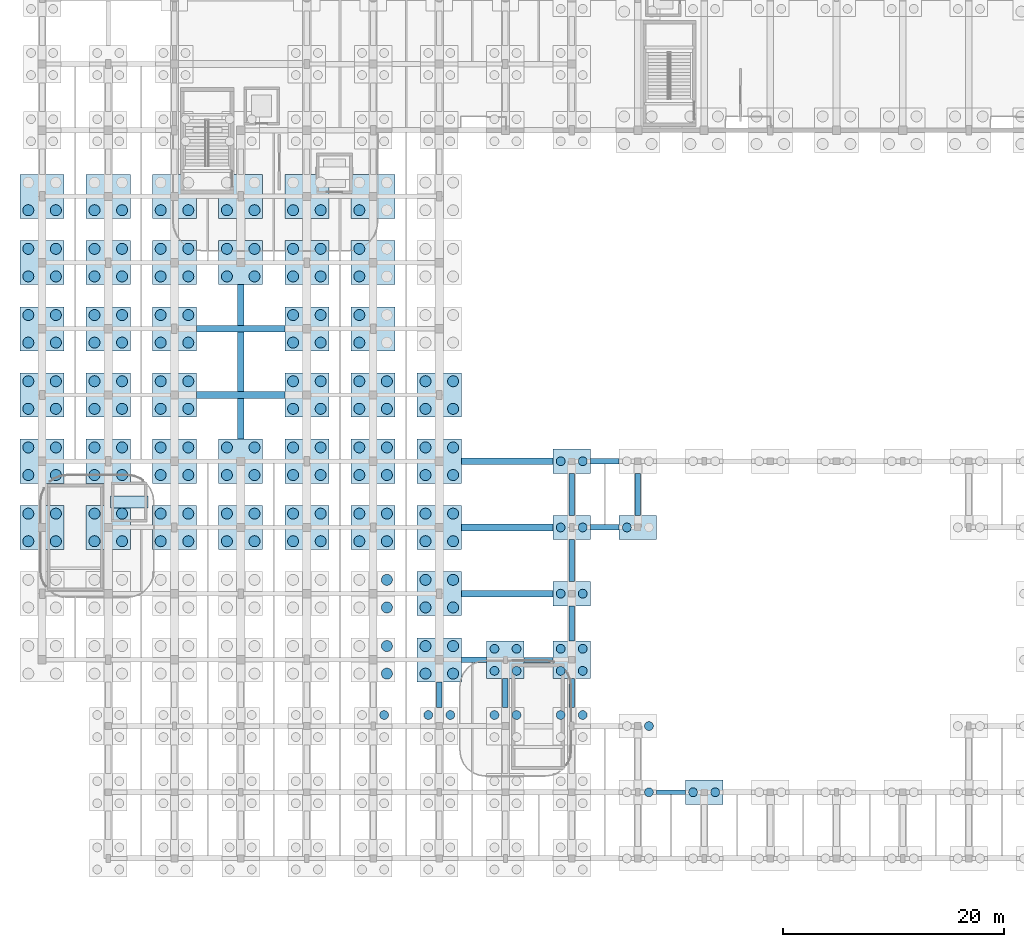
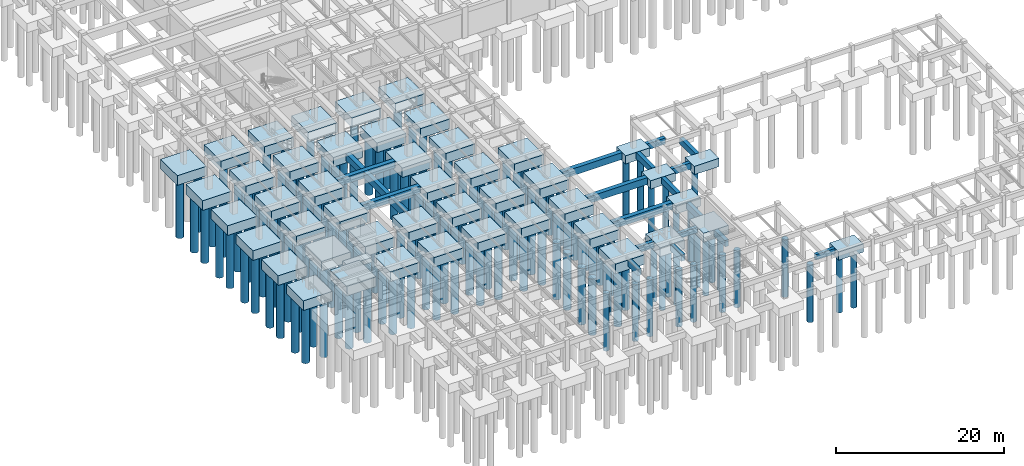
# One storey, part 2 of 32: 169 piles, 65 footings.
"""IFC4 building model written with IfcOpenShell, lengths in metres."""

import ifcopenshell
import ifcopenshell.guid

model = None  # the IFC model being written
_history = None  # IfcOwnerHistory: only IFC2X3 demands one
_inside = {}  # id of a spatial element -> (the spatial element, [elements in it])
_under = {}  # id of a project, library or spatial element -> (it, [spatial elements below it])
_declared = {}  # id of a project -> (the project, [libraries it declares])
_typed = {}  # id of a type object -> (the type object, [elements of that type])
_made_of = {}  # id of a material, layer set ... -> (it, [elements and type objects made of it])


def new_model(schema):
    """Start an empty IFC model of exactly this schema.

    Asked for "IFC4X3", IfcOpenShell would pick the latest addendum, in which some entities
    have other attributes; the version numbers below select the first issue.
    IFC2X3 requires an IfcOwnerHistory on every rooted entity: one is made here for all.
    """
    global model, _history
    if schema == "IFC4X3":
        model = ifcopenshell.file(schema_version=(4, 3, 0, 0))
    else:
        model = ifcopenshell.file(schema=schema)
    _inside.clear()
    _under.clear()
    _declared.clear()
    _typed.clear()
    _made_of.clear()
    _history = None
    if model.schema == "IFC2X3":
        org = make("IfcOrganization", Name="unknown")
        user = make(
            "IfcPersonAndOrganization",
            ThePerson=make("IfcPerson", FamilyName="unknown"),
            TheOrganization=org,
        )
        app = make(
            "IfcApplication",
            ApplicationDeveloper=org,
            Version="unknown",
            ApplicationFullName="unknown",
            ApplicationIdentifier="unknown",
        )
        _history = make(
            "IfcOwnerHistory",
            OwningUser=user,
            OwningApplication=app,
            ChangeAction="ADDED",
            CreationDate=0,
        )
    return model


def make(cls, **values):
    """One entity of the class cls with the attributes given. An attribute that is None is left unset."""
    return model.create_entity(
        cls, **{name: value for name, value in values.items() if value is not None}
    )


def rooted(cls, **values):
    """An entity with a GlobalId (a new one), such as an element, a storey or a relation."""
    return make(cls, GlobalId=ifcopenshell.guid.new(), OwnerHistory=_history, **values)


def si_unit(unit_type, name, prefix=None):
    """IfcSIUnit, for example si_unit("LENGTHUNIT", "METRE", prefix="MILLI")."""
    return make("IfcSIUnit", UnitType=unit_type, Prefix=prefix, Name=name)


def assignment(units):
    """IfcUnitAssignment: the units of a project."""
    return None if units is None else make("IfcUnitAssignment", Units=units)


def point(xyz):
    """IfcCartesianPoint."""
    return None if xyz is None else make("IfcCartesianPoint", Coordinates=xyz)


def direction(xyz):
    """IfcDirection."""
    return None if xyz is None else make("IfcDirection", DirectionRatios=xyz)


def frame(location, z_axis=None, x_axis=None):
    """IfcAxis2Placement3D, a coordinate frame: its origin and axes. An axis left out is left unset."""
    return make(
        "IfcAxis2Placement3D",
        Location=point(location),
        Axis=direction(z_axis),
        RefDirection=direction(x_axis),
    )


def frame_2d(location, x_axis=None):
    """IfcAxis2Placement2D, a coordinate frame in the plane: its origin and x axis."""
    return make(
        "IfcAxis2Placement2D", Location=point(location), RefDirection=direction(x_axis)
    )


def origin():
    """The frame at (0, 0, 0) with its axes left unset."""
    return frame((0.0, 0.0, 0.0))


def origin_2d():
    """The frame at (0, 0) in the plane with its x axis left unset."""
    return frame_2d((0.0, 0.0))


def place(relative_to, where):
    """IfcLocalPlacement: puts the frame where relative to a parent placement (None: the world)."""
    return make(
        "IfcLocalPlacement", PlacementRelTo=relative_to, RelativePlacement=where
    )


def context(
    kind, dimensions, precision=None, world=None, true_north=None, identifier=None
):
    """IfcGeometricRepresentationContext, for example the 3D "Model" context."""
    return make(
        "IfcGeometricRepresentationContext",
        ContextIdentifier=identifier,
        ContextType=kind,
        CoordinateSpaceDimension=dimensions,
        Precision=precision,
        WorldCoordinateSystem=world,
        TrueNorth=true_north,
    )


def subcontext(parent, identifier, kind, view, scale=None):
    """IfcGeometricRepresentationSubContext, for example "Body" below "Model"."""
    return make(
        "IfcGeometricRepresentationSubContext",
        ContextIdentifier=identifier,
        ContextType=kind,
        ParentContext=parent,
        TargetScale=scale,
        TargetView=view,
    )


def project(units=None, contexts=None):
    """IfcProject with its units and contexts."""
    return rooted(
        "IfcProject",
        Name="project",
        RepresentationContexts=contexts,
        UnitsInContext=assignment(units),
    )


def spatial(cls, under=None, at=None, **own):
    """A site, building, storey or space (cls), placed at a placement, below another one or the project."""
    s = rooted(cls, ObjectPlacement=at, **own)
    if under is not None:
        _under.setdefault(under.id(), (under, []))[1].append(s)
    return s


def profile(cls, at=None, kind="AREA", **sizes):
    """A parametric profile (cls). Its sizes go by their IFC names, for example OverallWidth=200.0."""
    return make(cls, ProfileType=kind, Position=at, **sizes)


def rectangle(**sizes):
    """IfcRectangleProfileDef."""
    return profile("IfcRectangleProfileDef", **sizes)


def circle(**sizes):
    """IfcCircleProfileDef."""
    return profile("IfcCircleProfileDef", **sizes)


def extrude(swept, where, along, depth):
    """IfcExtrudedAreaSolid: the profile swept, set in the frame where, extruded along a direction by depth."""
    return make(
        "IfcExtrudedAreaSolid",
        SweptArea=swept,
        Position=where,
        ExtrudedDirection=direction(along),
        Depth=depth,
    )


def shape(context_of_items, identifier, shape_type, items):
    """IfcShapeRepresentation: the items that make up one representation, for example the "Body"."""
    return make(
        "IfcShapeRepresentation",
        ContextOfItems=context_of_items,
        RepresentationIdentifier=identifier,
        RepresentationType=shape_type,
        Items=items,
    )


def material(Name=None, Category=None):
    """IfcMaterial."""
    return make("IfcMaterial", Name=Name, Category=Category)


def material_profile(
    of_material, cross_section, Name=None, Category=None, Priority=None
):
    """IfcMaterialProfile: a cross section and its material."""
    return make(
        "IfcMaterialProfile",
        Name=Name,
        Material=of_material,
        Profile=cross_section,
        Priority=Priority,
        Category=Category,
    )


def profile_set(profiles, Name=None, composite=None):
    """IfcMaterialProfileSet."""
    return make(
        "IfcMaterialProfileSet",
        Name=Name,
        MaterialProfiles=profiles,
        CompositeProfile=composite,
    )


def made_of(thing, what):
    """Note that an element or type object is made of a material, layer set ...; save() writes the relation."""
    if what is not None:
        _made_of.setdefault(what.id(), (what, []))[1].append(thing)
    return thing


def type_object(cls, material=None, **own):
    """A type object (cls), such as IfcWallType, which elements share."""
    return made_of(rooted(cls, **own), material)


def element(
    cls,
    number,
    at=None,
    inside=None,
    cuts=None,
    type_object=None,
    material=None,
    context=None,
    identifier="Body",
    shape_type=None,
    held_by="IfcProductDefinitionShape",
    body=None,
    shapes=None,
    **own,
):
    """One element of the class cls, such as IfcWall. Its Tag is "e" and its number.

    at: its placement. inside: the storey or other place that contains it. cuts: it is an
    opening in that element (IfcRelVoidsElement). A single representation is given by context,
    identifier, shape_type and body (its items); several are given by shapes. held_by: the class
    of the entity that holds the representations. save() writes the other relations.
    """
    e = rooted(cls, Tag="e%d" % number, ObjectPlacement=at, **own)
    if body is not None:
        shapes = [shape(context, identifier, shape_type, body)]
    if shapes is not None:
        e.Representation = make(held_by, Representations=shapes)
    if inside is not None:
        _inside.setdefault(inside.id(), (inside, []))[1].append(e)
    if cuts is not None:
        rooted(
            "IfcRelVoidsElement", RelatingBuildingElement=cuts, RelatedOpeningElement=e
        )
    if type_object is not None:
        _typed.setdefault(type_object.id(), (type_object, []))[1].append(e)
    return made_of(e, material)


def aggregate(whole, parts):
    """IfcRelAggregates: a whole, such as a stair, and the parts it consists of."""
    return rooted("IfcRelAggregates", RelatingObject=whole, RelatedObjects=parts)


def save(model, path):
    """Write the relations noted so far, then the file.

    IfcRelAggregates (storeys below a building ...), IfcRelContainedInSpatialStructure (elements
    in a storey), IfcRelDefinesByType, IfcRelAssociatesMaterial and IfcRelDeclares: one each for
    every whole, place, type object, material and project.
    """
    for whole, parts in _under.values():
        aggregate(whole, parts)
    for where, things in _inside.values():
        rooted(
            "IfcRelContainedInSpatialStructure",
            RelatedElements=things,
            RelatingStructure=where,
        )
    for kind, things in _typed.values():
        rooted("IfcRelDefinesByType", RelatedObjects=things, RelatingType=kind)
    for what, things in _made_of.values():
        rooted("IfcRelAssociatesMaterial", RelatedObjects=things, RelatingMaterial=what)
    for by, libraries in _declared.values():
        rooted("IfcRelDeclares", RelatingContext=by, RelatedDefinitions=libraries)
    model.write(path)


model = new_model("IFC4")

# Units and contexts
model_context = context("Model", 3, precision=1e-05, world=origin(), true_north=direction((0.0, 1.0)))
body_context = subcontext(model_context, "Body", "Model", "MODEL_VIEW")
ifc_project = project(units=[si_unit("LENGTHUNIT", "METRE"), si_unit("AREAUNIT", "SQUARE_METRE"), si_unit("VOLUMEUNIT", "CUBIC_METRE"), si_unit("PLANEANGLEUNIT", "RADIAN"), si_unit("MASSUNIT", "GRAM", prefix="KILO")], contexts=[model_context])

# Site, building, storey
site_placement = place(None, origin())
site = spatial("IfcSite", under=ifc_project, at=site_placement, CompositionType="ELEMENT")
building_placement = place(site_placement, origin())
building = spatial("IfcBuilding", under=site, at=building_placement, Name="Varnakota Square Police Headquarters", CompositionType="ELEMENT")
storey_placement = place(building_placement, frame((0.0, 0.0, -4.5)))
storey = spatial("IfcBuildingStorey", under=building, at=storey_placement, Name="B1", CompositionType="ELEMENT", Elevation=-4.5)

# Footings
ifc_material_1 = material(Name="Concrete M40", Category="concrete")
ifc_material_profile_1 = material_profile(ifc_material_1, rectangle(XDim=0.5, YDim=0.89990234375, at=origin_2d()), Name="GB 500x900")
ifc_profile_set_1 = profile_set([ifc_material_profile_1], Name="Concrete M40")
footing_type_1 = type_object("IfcFootingType", Name="FT-GB1", PredefinedType="FOOTING_BEAM", material=ifc_profile_set_1)
footing_1_placement = place(storey_placement, frame((44.0, 21.0, -0.449951171875), z_axis=(1.0, 0.0, 0.0), x_axis=(0.0, 1.0, 0.0)))
element("IfcFooting", 1, at=footing_1_placement, inside=storey, type_object=footing_type_1, Name="Ground tie beam GB-0041", PredefinedType="FOOTING_BEAM", context=body_context, shape_type="SweptSolid", body=[
    extrude(rectangle(XDim=0.5, YDim=0.89990234375, at=origin_2d()), origin(), (0.0, 0.0, 1.0), 2.300048828125),
])
for number, where, z_axis, x_axis, name in (
    (2, (55.699951171875, 33.0, -0.449951171875), (1.0, 0.0, 0.0), (0.0, 1.0, 0.0), "Ground tie beam GB-0046"),
    (3, (55.699951171875, 39.0, -0.449951171875), (1.0, 0.0, 0.0), (0.0, 1.0, 0.0), "Ground tie beam GB-0049"),
):
    element("IfcFooting", number, at=place(storey_placement, frame(where, z_axis=z_axis, x_axis=x_axis)), inside=storey, type_object=footing_type_1, Name=name, PredefinedType="FOOTING_BEAM", context=body_context, shape_type="SweptSolid", body=[
        extrude(rectangle(XDim=0.5, YDim=0.89990234375, at=origin_2d()), origin(), (0.0, 0.0, 1.0), 2.60009765625),
    ])
footing_2_placement = place(storey_placement, frame((42.0, 16.699951171875, -0.449951171875), z_axis=(0.0, 1.0, 0.0), x_axis=(-1.0, 0.0, 0.0)))
element("IfcFooting", 4, at=footing_2_placement, inside=storey, type_object=footing_type_1, Name="Ground tie beam GB-0229", PredefinedType="FOOTING_BEAM", context=body_context, shape_type="SweptSolid", body=[
    extrude(rectangle(XDim=0.5, YDim=0.89990234375, at=origin_2d()), origin(), (0.0, 0.0, 1.0), 2.300048828125),
])
for number, where, z_axis, x_axis, name in (
    (5, (48.0, 16.699951171875, -0.449951171875), (0.0, 1.0, 0.0), (-1.0, 0.0, 0.0), "Ground tie beam GB-0238"),
    (6, (54.0, 16.699951171875, -0.449951171875), (0.0, 1.0, 0.0), (-1.0, 0.0, 0.0), "Ground tie beam GB-0246"),
):
    element("IfcFooting", number, at=place(storey_placement, frame(where, z_axis=z_axis, x_axis=x_axis)), inside=storey, type_object=footing_type_1, Name=name, PredefinedType="FOOTING_BEAM", context=body_context, shape_type="SweptSolid", body=[
        extrude(rectangle(XDim=0.5, YDim=0.89990234375, at=origin_2d()), origin(), (0.0, 0.0, 1.0), 2.60009765625),
    ])
footing_3_placement = place(storey_placement, frame((54.0, 22.699951171875, -0.449951171875), z_axis=(0.0, 1.0, 0.0), x_axis=(-1.0, 0.0, 0.0)))
element("IfcFooting", 7, at=footing_3_placement, inside=storey, type_object=footing_type_1, Name="Ground tie beam GB-0247", PredefinedType="FOOTING_BEAM", context=body_context, shape_type="SweptSolid", body=[
    extrude(rectangle(XDim=0.5, YDim=0.89990234375, at=origin_2d()), origin(), (0.0, 0.0, 1.0), 3.199951171875),
])
for number, where, z_axis, x_axis, name in (
    (8, (54.0, 28.10009765625, -0.449951171875), (0.0, 1.0, 0.0), (-1.0, 0.0, 0.0), "Ground tie beam GB-0248"),
    (9, (54.0, 34.10009765625, -0.449951171875), (0.0, 1.0, 0.0), (-1.0, 0.0, 0.0), "Ground tie beam GB-0249"),
    (10, (60.0, 34.10009765625, -0.449951171875), (0.0, 1.0, 0.0), (-1.0, 0.0, 0.0), "Ground tie beam GB-0257"),
):
    element("IfcFooting", number, at=place(storey_placement, frame(where, z_axis=z_axis, x_axis=x_axis)), inside=storey, type_object=footing_type_1, Name=name, PredefinedType="FOOTING_BEAM", context=body_context, shape_type="SweptSolid", body=[
        extrude(rectangle(XDim=0.5, YDim=0.89990234375, at=origin_2d()), origin(), (0.0, 0.0, 1.0), 3.7998046875),
    ])
ifc_material_profile_2 = material_profile(ifc_material_1, rectangle(XDim=0.60009765625, YDim=1.0, at=origin_2d()), Name="GB 600x1000")
ifc_profile_set_2 = profile_set([ifc_material_profile_2], Name="Concrete M40")
footing_type_2 = type_object("IfcFootingType", Name="FT-GB2", PredefinedType="FOOTING_BEAM", material=ifc_profile_set_2)
for number, where, z_axis, x_axis, name in (
    (11, (44.0, 27.0, -0.5), (1.0, 0.0, 0.0), (0.0, 1.0, 0.0), "Ground tie beam GB-0044"),
    (12, (44.0, 33.0, -0.5), (1.0, 0.0, 0.0), (0.0, 1.0, 0.0), "Ground tie beam GB-0045"),
    (13, (44.0, 39.0, -0.5), (1.0, 0.0, 0.0), (0.0, 1.0, 0.0), "Ground tie beam GB-0048"),
):
    element("IfcFooting", number, at=place(storey_placement, frame(where, z_axis=z_axis, x_axis=x_axis)), inside=storey, type_object=footing_type_2, Name=name, PredefinedType="FOOTING_BEAM", context=body_context, shape_type="SweptSolid", body=[
        extrude(rectangle(XDim=0.60009765625, YDim=1.0, at=origin_2d()), origin(), (0.0, 0.0, 1.0), 8.300048828125),
    ])
for number, where, z_axis, x_axis, name in (
    (14, (20.0, 45.0, -0.5), (1.0, 0.0, 0.0), (0.0, 1.0, 0.0), "Ground tie beam GB-0056"),
    (15, (20.0, 51.0, -0.5), (1.0, 0.0, 0.0), (0.0, 1.0, 0.0), "Ground tie beam GB-0057"),
):
    element("IfcFooting", number, at=place(storey_placement, frame(where, z_axis=z_axis, x_axis=x_axis)), inside=storey, type_object=footing_type_2, Name=name, PredefinedType="FOOTING_BEAM", context=body_context, shape_type="SweptSolid", body=[
        extrude(rectangle(XDim=0.60009765625, YDim=1.0, at=origin_2d()), origin(), (0.0, 0.0, 1.0), 8.0),
    ])
footing_4_placement = place(storey_placement, frame((24.0, 41.0, -0.5), z_axis=(0.0, 1.0, 0.0), x_axis=(-1.0, 0.0, 0.0)))
element("IfcFooting", 16, at=footing_4_placement, inside=storey, type_object=footing_type_2, Name="Ground tie beam GB-0207", PredefinedType="FOOTING_BEAM", context=body_context, shape_type="SweptSolid", body=[
    extrude(rectangle(XDim=0.60009765625, YDim=1.0, at=origin_2d()), origin(), (0.0, 0.0, 1.0), 14.0),
])
ifc_material_profile_3 = material_profile(ifc_material_1, rectangle(XDim=0.449951171875, YDim=0.800048828125, at=origin_2d()), Name="GB 450x800")
ifc_profile_set_3 = profile_set([ifc_material_profile_3], Name="Concrete M40")
footing_type_3 = type_object("IfcFootingType", Name="FT-GB3", PredefinedType="FOOTING_BEAM", material=ifc_profile_set_3)
for number, where, z_axis, x_axis, name in (
    (17, (61.699951171875, 9.0, -0.39990234375), (1.0, 0.0, 0.0), (0.0, 1.0, 0.0), "Ground tie beam GB-0024"),
    (18, (49.699951171875, 21.0, -0.39990234375), (1.0, 0.0, 0.0), (0.0, 1.0, 0.0), "Ground tie beam GB-0042"),
):
    element("IfcFooting", number, at=place(storey_placement, frame(where, z_axis=z_axis, x_axis=x_axis)), inside=storey, type_object=footing_type_3, Name=name, PredefinedType="FOOTING_BEAM", context=body_context, shape_type="SweptSolid", body=[
        extrude(rectangle(XDim=0.449951171875, YDim=0.800048828125, at=origin_2d()), origin(), (0.0, 0.0, 1.0), 2.60009765625),
    ])
footing_type_4 = type_object("IfcFootingType", Name="FT-PC2", PredefinedType="PILE_CAP", material=ifc_material_1)
for number, where, z_axis, x_axis, name in (
    (19, (54.0, 27.0, -1.2001953125), (0.0, 0.0, 1.0), (1.0, 0.0, 0.0), "Pile cap CAP-X0540-Y0270"),
    (20, (54.0, 33.0, -1.2001953125), (0.0, 0.0, 1.0), (1.0, 0.0, 0.0), "Pile cap CAP-X0540-Y0330"),
    (21, (54.0, 39.0, -1.2001953125), (0.0, 0.0, 1.0), (1.0, 0.0, 0.0), "Pile cap CAP-X0540-Y0390"),
    (22, (60.0, 33.0, -1.2001953125), (0.0, 0.0, 1.0), (1.0, 0.0, 0.0), "Pile cap CAP-X0600-Y0330"),
    (23, (66.0, 9.0, -1.2001953125), (0.0, 0.0, 1.0), (1.0, 0.0, 0.0), "Pile cap CAP-X0660-Y0090"),
):
    element("IfcFooting", number, at=place(storey_placement, frame(where, z_axis=z_axis, x_axis=x_axis)), inside=storey, type_object=footing_type_4, Name=name, PredefinedType="PILE_CAP", context=body_context, shape_type="SweptSolid", body=[
        extrude(rectangle(XDim=3.39990234375, YDim=2.199951171875, at=origin_2d()), origin(), (0.0, 0.0, 1.0), 1.199951171875),
    ])
footing_type_5 = type_object("IfcFootingType", Name="FT-PC4", PredefinedType="PILE_CAP", material=ifc_material_1)
for number, where, z_axis, x_axis, name in (
    (24, (48.0, 21.0, -1.2998046875), (0.0, 0.0, 1.0), (1.0, 0.0, 0.0), "Pile cap CAP-X0480-Y0210"),
    (25, (54.0, 21.0, -1.2998046875), (0.0, 0.0, 1.0), (1.0, 0.0, 0.0), "Pile cap CAP-X0540-Y0210"),
):
    element("IfcFooting", number, at=place(storey_placement, frame(where, z_axis=z_axis, x_axis=x_axis)), inside=storey, type_object=footing_type_5, Name=name, PredefinedType="PILE_CAP", context=body_context, shape_type="SweptSolid", body=[
        extrude(rectangle(XDim=3.39990234375, YDim=3.39990234375, at=origin_2d()), origin(), (0.0, 0.0, 1.0), 1.300048828125),
    ])
ifc_material_2 = material(Name="Concrete M50", Category="concrete")
footing_type_6 = type_object("IfcFootingType", Name="FT-PC6", PredefinedType="PILE_CAP", material=ifc_material_2)
for number, where, z_axis, x_axis, name in (
    (26, (6.0, 33.0, -1.39990234375), (0.0, 0.0, 1.0), (1.0, 0.0, 0.0), "Pile cap CAP-X0060-Y0330"),
    (27, (6.0, 39.0, -1.39990234375), (0.0, 0.0, 1.0), (1.0, 0.0, 0.0), "Pile cap CAP-X0060-Y0390"),
    (28, (6.0, 45.0, -1.39990234375), (0.0, 0.0, 1.0), (1.0, 0.0, 0.0), "Pile cap CAP-X0060-Y0450"),
    (29, (6.0, 51.0, -1.39990234375), (0.0, 0.0, 1.0), (1.0, 0.0, 0.0), "Pile cap CAP-X0060-Y0510"),
    (30, (6.0, 57.0, -1.39990234375), (0.0, 0.0, 1.0), (1.0, 0.0, 0.0), "Pile cap CAP-X0060-Y0570"),
    (31, (6.0, 63.0, -1.39990234375), (0.0, 0.0, 1.0), (1.0, 0.0, 0.0), "Pile cap CAP-X0060-Y0630"),
    (32, (12.0, 33.0, -1.39990234375), (0.0, 0.0, 1.0), (1.0, 0.0, 0.0), "Pile cap CAP-X0120-Y0330"),
    (33, (12.0, 39.0, -1.39990234375), (0.0, 0.0, 1.0), (1.0, 0.0, 0.0), "Pile cap CAP-X0120-Y0390"),
    (34, (12.0, 45.0, -1.39990234375), (0.0, 0.0, 1.0), (1.0, 0.0, 0.0), "Pile cap CAP-X0120-Y0450"),
    (35, (12.0, 51.0, -1.39990234375), (0.0, 0.0, 1.0), (1.0, 0.0, 0.0), "Pile cap CAP-X0120-Y0510"),
    (36, (12.0, 57.0, -1.39990234375), (0.0, 0.0, 1.0), (1.0, 0.0, 0.0), "Pile cap CAP-X0120-Y0570"),
    (37, (12.0, 63.0, -1.39990234375), (0.0, 0.0, 1.0), (1.0, 0.0, 0.0), "Pile cap CAP-X0120-Y0630"),
    (38, (18.0, 33.0, -1.39990234375), (0.0, 0.0, 1.0), (1.0, 0.0, 0.0), "Pile cap CAP-X0180-Y0330"),
    (39, (18.0, 39.0, -1.39990234375), (0.0, 0.0, 1.0), (1.0, 0.0, 0.0), "Pile cap CAP-X0180-Y0390"),
    (40, (18.0, 45.0, -1.39990234375), (0.0, 0.0, 1.0), (1.0, 0.0, 0.0), "Pile cap CAP-X0180-Y0450"),
    (41, (18.0, 51.0, -1.39990234375), (0.0, 0.0, 1.0), (1.0, 0.0, 0.0), "Pile cap CAP-X0180-Y0510"),
    (42, (18.0, 57.0, -1.39990234375), (0.0, 0.0, 1.0), (1.0, 0.0, 0.0), "Pile cap CAP-X0180-Y0570"),
    (43, (18.0, 63.0, -1.39990234375), (0.0, 0.0, 1.0), (1.0, 0.0, 0.0), "Pile cap CAP-X0180-Y0630"),
    (44, (24.0, 33.0, -1.39990234375), (0.0, 0.0, 1.0), (1.0, 0.0, 0.0), "Pile cap CAP-X0240-Y0330"),
    (45, (24.0, 39.0, -1.39990234375), (0.0, 0.0, 1.0), (1.0, 0.0, 0.0), "Pile cap CAP-X0240-Y0390"),
    (46, (24.0, 57.0, -1.39990234375), (0.0, 0.0, 1.0), (1.0, 0.0, 0.0), "Pile cap CAP-X0240-Y0570"),
    (47, (24.0, 63.0, -1.39990234375), (0.0, 0.0, 1.0), (1.0, 0.0, 0.0), "Pile cap CAP-X0240-Y0630"),
    (48, (30.0, 33.0, -1.39990234375), (0.0, 0.0, 1.0), (1.0, 0.0, 0.0), "Pile cap CAP-X0300-Y0330"),
    (49, (30.0, 39.0, -1.39990234375), (0.0, 0.0, 1.0), (1.0, 0.0, 0.0), "Pile cap CAP-X0300-Y0390"),
    (50, (30.0, 45.0, -1.39990234375), (0.0, 0.0, 1.0), (1.0, 0.0, 0.0), "Pile cap CAP-X0300-Y0450"),
    (51, (30.0, 51.0, -1.39990234375), (0.0, 0.0, 1.0), (1.0, 0.0, 0.0), "Pile cap CAP-X0300-Y0510"),
    (52, (30.0, 57.0, -1.39990234375), (0.0, 0.0, 1.0), (1.0, 0.0, 0.0), "Pile cap CAP-X0300-Y0570"),
    (53, (30.0, 63.0, -1.39990234375), (0.0, 0.0, 1.0), (1.0, 0.0, 0.0), "Pile cap CAP-X0300-Y0630"),
    (54, (36.0, 33.0, -1.39990234375), (0.0, 0.0, 1.0), (1.0, 0.0, 0.0), "Pile cap CAP-X0360-Y0330"),
    (55, (36.0, 39.0, -1.39990234375), (0.0, 0.0, 1.0), (1.0, 0.0, 0.0), "Pile cap CAP-X0360-Y0390"),
    (56, (36.0, 45.0, -1.39990234375), (0.0, 0.0, 1.0), (1.0, 0.0, 0.0), "Pile cap CAP-X0360-Y0450"),
    (57, (36.0, 51.0, -1.39990234375), (0.0, 0.0, 1.0), (1.0, 0.0, 0.0), "Pile cap CAP-X0360-Y0510"),
    (58, (36.0, 57.0, -1.39990234375), (0.0, 0.0, 1.0), (1.0, 0.0, 0.0), "Pile cap CAP-X0360-Y0570"),
    (59, (36.0, 63.0, -1.39990234375), (0.0, 0.0, 1.0), (1.0, 0.0, 0.0), "Pile cap CAP-X0360-Y0630"),
    (60, (42.0, 21.0, -1.39990234375), (0.0, 0.0, 1.0), (1.0, 0.0, 0.0), "Pile cap CAP-X0420-Y0210"),
    (61, (42.0, 27.0, -1.39990234375), (0.0, 0.0, 1.0), (1.0, 0.0, 0.0), "Pile cap CAP-X0420-Y0270"),
    (62, (42.0, 33.0, -1.39990234375), (0.0, 0.0, 1.0), (1.0, 0.0, 0.0), "Pile cap CAP-X0420-Y0330"),
    (63, (42.0, 39.0, -1.39990234375), (0.0, 0.0, 1.0), (1.0, 0.0, 0.0), "Pile cap CAP-X0420-Y0390"),
    (64, (42.0, 45.0, -1.39990234375), (0.0, 0.0, 1.0), (1.0, 0.0, 0.0), "Pile cap CAP-X0420-Y0450"),
):
    element("IfcFooting", number, at=place(storey_placement, frame(where, z_axis=z_axis, x_axis=x_axis)), inside=storey, type_object=footing_type_6, Name=name, PredefinedType="PILE_CAP", context=body_context, shape_type="SweptSolid", body=[
        extrude(rectangle(XDim=4.0, YDim=4.0, at=origin_2d()), origin(), (0.0, 0.0, 1.0), 1.39990234375),
    ])
ifc_material_profile_4 = material_profile(ifc_material_1, rectangle(XDim=1.10009765625, YDim=0.699951171875, at=origin_2d()), Name="SF 1100x700")
ifc_profile_set_4 = profile_set([ifc_material_profile_4], Name="Concrete M40")
footing_type_7 = type_object("IfcFootingType", Name="FT-SF2", PredefinedType="STRIP_FOOTING", material=ifc_profile_set_4)
footing_5_placement = place(storey_placement, frame((12.199951171875, 35.300048828125, -0.35009765625), z_axis=(1.0, 0.0, 0.0), x_axis=(0.0, 1.0, 0.0)))
element("IfcFooting", 65, at=footing_5_placement, inside=storey, type_object=footing_type_7, Name="Strip footing SF-08", PredefinedType="STRIP_FOOTING", context=body_context, shape_type="SweptSolid", body=[
    extrude(rectangle(XDim=1.10009765625, YDim=0.699951171875, at=origin_2d()), origin(), (0.0, 0.0, 1.0), 3.400146484375),
])

# Piles
ifc_material_profile_5 = material_profile(ifc_material_2, circle(Radius=0.5, at=origin_2d()), Name="BORED PILE 1000")
ifc_profile_set_5 = profile_set([ifc_material_profile_5], Name="Concrete M50")
pile_type_1 = type_object("IfcPileType", Name="PILE-D1000", PredefinedType="BORED", material=ifc_profile_set_5)
for number, where, z_axis, x_axis, name in (
    (66, (4.75, 31.75, -1.300048828125), (0.0, 0.0, -1.0), (1.0, 0.0, 0.0), "Bored pile PLG-0009"),
    (67, (4.75, 34.25, -1.300048828125), (0.0, 0.0, -1.0), (1.0, 0.0, 0.0), "Bored pile PLG-0010"),
    (68, (7.25, 31.75, -1.300048828125), (0.0, 0.0, -1.0), (1.0, 0.0, 0.0), "Bored pile PLG-0011"),
    (69, (7.25, 34.25, -1.300048828125), (0.0, 0.0, -1.0), (1.0, 0.0, 0.0), "Bored pile PLG-0012"),
    (70, (4.75, 37.75, -1.300048828125), (0.0, 0.0, -1.0), (1.0, 0.0, 0.0), "Bored pile PLG-0013"),
    (71, (4.75, 40.25, -1.300048828125), (0.0, 0.0, -1.0), (1.0, 0.0, 0.0), "Bored pile PLG-0014"),
    (72, (7.25, 37.75, -1.300048828125), (0.0, 0.0, -1.0), (1.0, 0.0, 0.0), "Bored pile PLG-0015"),
    (73, (7.25, 40.25, -1.300048828125), (0.0, 0.0, -1.0), (1.0, 0.0, 0.0), "Bored pile PLG-0016"),
    (74, (4.75, 43.75, -1.300048828125), (0.0, 0.0, -1.0), (1.0, 0.0, 0.0), "Bored pile PLG-0017"),
    (75, (4.75, 46.25, -1.300048828125), (0.0, 0.0, -1.0), (1.0, 0.0, 0.0), "Bored pile PLG-0018"),
    (76, (7.25, 43.75, -1.300048828125), (0.0, 0.0, -1.0), (1.0, 0.0, 0.0), "Bored pile PLG-0019"),
    (77, (7.25, 46.25, -1.300048828125), (0.0, 0.0, -1.0), (1.0, 0.0, 0.0), "Bored pile PLG-0020"),
    (78, (4.75, 49.75, -1.300048828125), (0.0, 0.0, -1.0), (1.0, 0.0, 0.0), "Bored pile PLG-0021"),
    (79, (4.75, 52.25, -1.300048828125), (0.0, 0.0, -1.0), (1.0, 0.0, 0.0), "Bored pile PLG-0022"),
    (80, (7.25, 49.75, -1.300048828125), (0.0, 0.0, -1.0), (1.0, 0.0, 0.0), "Bored pile PLG-0023"),
    (81, (7.25, 52.25, -1.300048828125), (0.0, 0.0, -1.0), (1.0, 0.0, 0.0), "Bored pile PLG-0024"),
    (82, (4.75, 55.75, -1.300048828125), (0.0, 0.0, -1.0), (1.0, 0.0, 0.0), "Bored pile PLG-0025"),
    (83, (4.75, 58.25, -1.300048828125), (0.0, 0.0, -1.0), (1.0, 0.0, 0.0), "Bored pile PLG-0026"),
    (84, (7.25, 55.75, -1.300048828125), (0.0, 0.0, -1.0), (1.0, 0.0, 0.0), "Bored pile PLG-0027"),
    (85, (7.25, 58.25, -1.300048828125), (0.0, 0.0, -1.0), (1.0, 0.0, 0.0), "Bored pile PLG-0028"),
    (86, (4.75, 61.75, -1.300048828125), (0.0, 0.0, -1.0), (1.0, 0.0, 0.0), "Bored pile PLG-0029"),
    (87, (7.25, 61.75, -1.300048828125), (0.0, 0.0, -1.0), (1.0, 0.0, 0.0), "Bored pile PLG-0031"),
    (88, (10.75, 31.75, -1.300048828125), (0.0, 0.0, -1.0), (1.0, 0.0, 0.0), "Bored pile PLG-0081"),
    (89, (10.75, 34.25, -1.300048828125), (0.0, 0.0, -1.0), (1.0, 0.0, 0.0), "Bored pile PLG-0082"),
    (90, (13.25, 31.75, -1.300048828125), (0.0, 0.0, -1.0), (1.0, 0.0, 0.0), "Bored pile PLG-0083"),
    (91, (13.25, 34.25, -1.300048828125), (0.0, 0.0, -1.0), (1.0, 0.0, 0.0), "Bored pile PLG-0084"),
    (92, (10.75, 37.75, -1.300048828125), (0.0, 0.0, -1.0), (1.0, 0.0, 0.0), "Bored pile PLG-0085"),
    (93, (10.75, 40.25, -1.300048828125), (0.0, 0.0, -1.0), (1.0, 0.0, 0.0), "Bored pile PLG-0086"),
    (94, (13.25, 37.75, -1.300048828125), (0.0, 0.0, -1.0), (1.0, 0.0, 0.0), "Bored pile PLG-0087"),
    (95, (13.25, 40.25, -1.300048828125), (0.0, 0.0, -1.0), (1.0, 0.0, 0.0), "Bored pile PLG-0088"),
    (96, (10.75, 43.75, -1.300048828125), (0.0, 0.0, -1.0), (1.0, 0.0, 0.0), "Bored pile PLG-0089"),
    (97, (10.75, 46.25, -1.300048828125), (0.0, 0.0, -1.0), (1.0, 0.0, 0.0), "Bored pile PLG-0090"),
    (98, (13.25, 43.75, -1.300048828125), (0.0, 0.0, -1.0), (1.0, 0.0, 0.0), "Bored pile PLG-0091"),
    (99, (13.25, 46.25, -1.300048828125), (0.0, 0.0, -1.0), (1.0, 0.0, 0.0), "Bored pile PLG-0092"),
    (100, (10.75, 49.75, -1.300048828125), (0.0, 0.0, -1.0), (1.0, 0.0, 0.0), "Bored pile PLG-0093"),
    (101, (10.75, 52.25, -1.300048828125), (0.0, 0.0, -1.0), (1.0, 0.0, 0.0), "Bored pile PLG-0094"),
    (102, (13.25, 49.75, -1.300048828125), (0.0, 0.0, -1.0), (1.0, 0.0, 0.0), "Bored pile PLG-0095"),
    (103, (13.25, 52.25, -1.300048828125), (0.0, 0.0, -1.0), (1.0, 0.0, 0.0), "Bored pile PLG-0096"),
    (104, (10.75, 55.75, -1.300048828125), (0.0, 0.0, -1.0), (1.0, 0.0, 0.0), "Bored pile PLG-0097"),
    (105, (10.75, 58.25, -1.300048828125), (0.0, 0.0, -1.0), (1.0, 0.0, 0.0), "Bored pile PLG-0098"),
    (106, (13.25, 55.75, -1.300048828125), (0.0, 0.0, -1.0), (1.0, 0.0, 0.0), "Bored pile PLG-0099"),
    (107, (13.25, 58.25, -1.300048828125), (0.0, 0.0, -1.0), (1.0, 0.0, 0.0), "Bored pile PLG-0100"),
    (108, (10.75, 61.75, -1.300048828125), (0.0, 0.0, -1.0), (1.0, 0.0, 0.0), "Bored pile PLG-0101"),
    (109, (13.25, 61.75, -1.300048828125), (0.0, 0.0, -1.0), (1.0, 0.0, 0.0), "Bored pile PLG-0103"),
    (110, (16.75, 31.75, -1.300048828125), (0.0, 0.0, -1.0), (1.0, 0.0, 0.0), "Bored pile PLG-0141"),
    (111, (16.75, 34.25, -1.300048828125), (0.0, 0.0, -1.0), (1.0, 0.0, 0.0), "Bored pile PLG-0142"),
    (112, (19.25, 31.75, -1.300048828125), (0.0, 0.0, -1.0), (1.0, 0.0, 0.0), "Bored pile PLG-0143"),
    (113, (19.25, 34.25, -1.300048828125), (0.0, 0.0, -1.0), (1.0, 0.0, 0.0), "Bored pile PLG-0144"),
    (114, (16.75, 37.75, -1.300048828125), (0.0, 0.0, -1.0), (1.0, 0.0, 0.0), "Bored pile PLG-0145"),
    (115, (16.75, 40.25, -1.300048828125), (0.0, 0.0, -1.0), (1.0, 0.0, 0.0), "Bored pile PLG-0146"),
    (116, (19.25, 37.75, -1.300048828125), (0.0, 0.0, -1.0), (1.0, 0.0, 0.0), "Bored pile PLG-0147"),
    (117, (19.25, 40.25, -1.300048828125), (0.0, 0.0, -1.0), (1.0, 0.0, 0.0), "Bored pile PLG-0148"),
    (118, (16.75, 43.75, -1.300048828125), (0.0, 0.0, -1.0), (1.0, 0.0, 0.0), "Bored pile PLG-0149"),
    (119, (16.75, 46.25, -1.300048828125), (0.0, 0.0, -1.0), (1.0, 0.0, 0.0), "Bored pile PLG-0150"),
    (120, (19.25, 43.75, -1.300048828125), (0.0, 0.0, -1.0), (1.0, 0.0, 0.0), "Bored pile PLG-0151"),
    (121, (19.25, 46.25, -1.300048828125), (0.0, 0.0, -1.0), (1.0, 0.0, 0.0), "Bored pile PLG-0152"),
    (122, (16.75, 49.75, -1.300048828125), (0.0, 0.0, -1.0), (1.0, 0.0, 0.0), "Bored pile PLG-0153"),
    (123, (16.75, 52.25, -1.300048828125), (0.0, 0.0, -1.0), (1.0, 0.0, 0.0), "Bored pile PLG-0154"),
    (124, (19.25, 49.75, -1.300048828125), (0.0, 0.0, -1.0), (1.0, 0.0, 0.0), "Bored pile PLG-0155"),
    (125, (19.25, 52.25, -1.300048828125), (0.0, 0.0, -1.0), (1.0, 0.0, 0.0), "Bored pile PLG-0156"),
    (126, (16.75, 55.75, -1.300048828125), (0.0, 0.0, -1.0), (1.0, 0.0, 0.0), "Bored pile PLG-0157"),
    (127, (16.75, 58.25, -1.300048828125), (0.0, 0.0, -1.0), (1.0, 0.0, 0.0), "Bored pile PLG-0158"),
    (128, (19.25, 55.75, -1.300048828125), (0.0, 0.0, -1.0), (1.0, 0.0, 0.0), "Bored pile PLG-0159"),
    (129, (19.25, 58.25, -1.300048828125), (0.0, 0.0, -1.0), (1.0, 0.0, 0.0), "Bored pile PLG-0160"),
    (130, (16.75, 61.75, -1.300048828125), (0.0, 0.0, -1.0), (1.0, 0.0, 0.0), "Bored pile PLG-0161"),
    (131, (19.25, 61.75, -1.300048828125), (0.0, 0.0, -1.0), (1.0, 0.0, 0.0), "Bored pile PLG-0163"),
    (132, (22.75, 31.75, -1.300048828125), (0.0, 0.0, -1.0), (1.0, 0.0, 0.0), "Bored pile PLG-0204"),
    (133, (22.75, 34.25, -1.300048828125), (0.0, 0.0, -1.0), (1.0, 0.0, 0.0), "Bored pile PLG-0205"),
    (134, (25.25, 31.75, -1.300048828125), (0.0, 0.0, -1.0), (1.0, 0.0, 0.0), "Bored pile PLG-0206"),
    (135, (25.25, 34.25, -1.300048828125), (0.0, 0.0, -1.0), (1.0, 0.0, 0.0), "Bored pile PLG-0207"),
    (136, (22.75, 37.75, -1.300048828125), (0.0, 0.0, -1.0), (1.0, 0.0, 0.0), "Bored pile PLG-0208"),
    (137, (22.75, 40.25, -1.300048828125), (0.0, 0.0, -1.0), (1.0, 0.0, 0.0), "Bored pile PLG-0209"),
    (138, (25.25, 37.75, -1.300048828125), (0.0, 0.0, -1.0), (1.0, 0.0, 0.0), "Bored pile PLG-0210"),
    (139, (25.25, 40.25, -1.300048828125), (0.0, 0.0, -1.0), (1.0, 0.0, 0.0), "Bored pile PLG-0211"),
    (140, (22.75, 55.75, -1.300048828125), (0.0, 0.0, -1.0), (1.0, 0.0, 0.0), "Bored pile PLG-0212"),
    (141, (22.75, 58.25, -1.300048828125), (0.0, 0.0, -1.0), (1.0, 0.0, 0.0), "Bored pile PLG-0213"),
    (142, (25.25, 55.75, -1.300048828125), (0.0, 0.0, -1.0), (1.0, 0.0, 0.0), "Bored pile PLG-0214"),
    (143, (25.25, 58.25, -1.300048828125), (0.0, 0.0, -1.0), (1.0, 0.0, 0.0), "Bored pile PLG-0215"),
    (144, (22.75, 61.75, -1.300048828125), (0.0, 0.0, -1.0), (1.0, 0.0, 0.0), "Bored pile PLG-0216"),
    (145, (25.25, 61.75, -1.300048828125), (0.0, 0.0, -1.0), (1.0, 0.0, 0.0), "Bored pile PLG-0218"),
    (146, (28.75, 31.75, -1.300048828125), (0.0, 0.0, -1.0), (1.0, 0.0, 0.0), "Bored pile PLG-0244"),
    (147, (28.75, 34.25, -1.300048828125), (0.0, 0.0, -1.0), (1.0, 0.0, 0.0), "Bored pile PLG-0245"),
    (148, (31.25, 31.75, -1.300048828125), (0.0, 0.0, -1.0), (1.0, 0.0, 0.0), "Bored pile PLG-0246"),
    (149, (31.25, 34.25, -1.300048828125), (0.0, 0.0, -1.0), (1.0, 0.0, 0.0), "Bored pile PLG-0247"),
    (150, (28.75, 37.75, -1.300048828125), (0.0, 0.0, -1.0), (1.0, 0.0, 0.0), "Bored pile PLG-0248"),
    (151, (28.75, 40.25, -1.300048828125), (0.0, 0.0, -1.0), (1.0, 0.0, 0.0), "Bored pile PLG-0249"),
    (152, (31.25, 37.75, -1.300048828125), (0.0, 0.0, -1.0), (1.0, 0.0, 0.0), "Bored pile PLG-0250"),
    (153, (31.25, 40.25, -1.300048828125), (0.0, 0.0, -1.0), (1.0, 0.0, 0.0), "Bored pile PLG-0251"),
    (154, (28.75, 43.75, -1.300048828125), (0.0, 0.0, -1.0), (1.0, 0.0, 0.0), "Bored pile PLG-0252"),
    (155, (28.75, 46.25, -1.300048828125), (0.0, 0.0, -1.0), (1.0, 0.0, 0.0), "Bored pile PLG-0253"),
    (156, (31.25, 43.75, -1.300048828125), (0.0, 0.0, -1.0), (1.0, 0.0, 0.0), "Bored pile PLG-0254"),
    (157, (31.25, 46.25, -1.300048828125), (0.0, 0.0, -1.0), (1.0, 0.0, 0.0), "Bored pile PLG-0255"),
    (158, (28.75, 49.75, -1.300048828125), (0.0, 0.0, -1.0), (1.0, 0.0, 0.0), "Bored pile PLG-0256"),
    (159, (28.75, 52.25, -1.300048828125), (0.0, 0.0, -1.0), (1.0, 0.0, 0.0), "Bored pile PLG-0257"),
    (160, (31.25, 49.75, -1.300048828125), (0.0, 0.0, -1.0), (1.0, 0.0, 0.0), "Bored pile PLG-0258"),
    (161, (31.25, 52.25, -1.300048828125), (0.0, 0.0, -1.0), (1.0, 0.0, 0.0), "Bored pile PLG-0259"),
    (162, (28.75, 55.75, -1.300048828125), (0.0, 0.0, -1.0), (1.0, 0.0, 0.0), "Bored pile PLG-0260"),
    (163, (28.75, 58.25, -1.300048828125), (0.0, 0.0, -1.0), (1.0, 0.0, 0.0), "Bored pile PLG-0261"),
    (164, (31.25, 55.75, -1.300048828125), (0.0, 0.0, -1.0), (1.0, 0.0, 0.0), "Bored pile PLG-0262"),
    (165, (31.25, 58.25, -1.300048828125), (0.0, 0.0, -1.0), (1.0, 0.0, 0.0), "Bored pile PLG-0263"),
    (166, (28.75, 61.75, -1.300048828125), (0.0, 0.0, -1.0), (1.0, 0.0, 0.0), "Bored pile PLG-0264"),
    (167, (31.25, 61.75, -1.300048828125), (0.0, 0.0, -1.0), (1.0, 0.0, 0.0), "Bored pile PLG-0266"),
    (168, (37.25, 19.75, -1.300048828125), (0.0, 0.0, -1.0), (1.0, 0.0, 0.0), "Bored pile PLG-0301"),
    (169, (37.25, 22.25, -1.300048828125), (0.0, 0.0, -1.0), (1.0, 0.0, 0.0), "Bored pile PLG-0302"),
    (170, (37.25, 25.75, -1.300048828125), (0.0, 0.0, -1.0), (1.0, 0.0, 0.0), "Bored pile PLG-0305"),
    (171, (37.25, 28.25, -1.300048828125), (0.0, 0.0, -1.0), (1.0, 0.0, 0.0), "Bored pile PLG-0306"),
    (172, (34.75, 31.75, -1.300048828125), (0.0, 0.0, -1.0), (1.0, 0.0, 0.0), "Bored pile PLG-0307"),
    (173, (34.75, 34.25, -1.300048828125), (0.0, 0.0, -1.0), (1.0, 0.0, 0.0), "Bored pile PLG-0308"),
    (174, (37.25, 31.75, -1.300048828125), (0.0, 0.0, -1.0), (1.0, 0.0, 0.0), "Bored pile PLG-0309"),
    (175, (37.25, 34.25, -1.300048828125), (0.0, 0.0, -1.0), (1.0, 0.0, 0.0), "Bored pile PLG-0310"),
    (176, (34.75, 37.75, -1.300048828125), (0.0, 0.0, -1.0), (1.0, 0.0, 0.0), "Bored pile PLG-0311"),
    (177, (34.75, 40.25, -1.300048828125), (0.0, 0.0, -1.0), (1.0, 0.0, 0.0), "Bored pile PLG-0312"),
    (178, (37.25, 37.75, -1.300048828125), (0.0, 0.0, -1.0), (1.0, 0.0, 0.0), "Bored pile PLG-0313"),
    (179, (37.25, 40.25, -1.300048828125), (0.0, 0.0, -1.0), (1.0, 0.0, 0.0), "Bored pile PLG-0314"),
    (180, (34.75, 43.75, -1.300048828125), (0.0, 0.0, -1.0), (1.0, 0.0, 0.0), "Bored pile PLG-0315"),
    (181, (34.75, 46.25, -1.300048828125), (0.0, 0.0, -1.0), (1.0, 0.0, 0.0), "Bored pile PLG-0316"),
    (182, (37.25, 43.75, -1.300048828125), (0.0, 0.0, -1.0), (1.0, 0.0, 0.0), "Bored pile PLG-0317"),
    (183, (37.25, 46.25, -1.300048828125), (0.0, 0.0, -1.0), (1.0, 0.0, 0.0), "Bored pile PLG-0318"),
    (184, (34.75, 49.75, -1.300048828125), (0.0, 0.0, -1.0), (1.0, 0.0, 0.0), "Bored pile PLG-0319"),
    (185, (34.75, 52.25, -1.300048828125), (0.0, 0.0, -1.0), (1.0, 0.0, 0.0), "Bored pile PLG-0320"),
    (186, (34.75, 55.75, -1.300048828125), (0.0, 0.0, -1.0), (1.0, 0.0, 0.0), "Bored pile PLG-0323"),
    (187, (34.75, 58.25, -1.300048828125), (0.0, 0.0, -1.0), (1.0, 0.0, 0.0), "Bored pile PLG-0324"),
    (188, (34.75, 61.75, -1.300048828125), (0.0, 0.0, -1.0), (1.0, 0.0, 0.0), "Bored pile PLG-0327"),
    (189, (40.75, 19.75, -1.300048828125), (0.0, 0.0, -1.0), (1.0, 0.0, 0.0), "Bored pile PLG-0358"),
    (190, (40.75, 22.25, -1.300048828125), (0.0, 0.0, -1.0), (1.0, 0.0, 0.0), "Bored pile PLG-0359"),
    (191, (43.25, 19.75, -1.300048828125), (0.0, 0.0, -1.0), (1.0, 0.0, 0.0), "Bored pile PLG-0360"),
    (192, (43.25, 22.25, -1.300048828125), (0.0, 0.0, -1.0), (1.0, 0.0, 0.0), "Bored pile PLG-0361"),
    (193, (40.75, 25.75, -1.300048828125), (0.0, 0.0, -1.0), (1.0, 0.0, 0.0), "Bored pile PLG-0362"),
    (194, (40.75, 28.25, -1.300048828125), (0.0, 0.0, -1.0), (1.0, 0.0, 0.0), "Bored pile PLG-0363"),
    (195, (43.25, 25.75, -1.300048828125), (0.0, 0.0, -1.0), (1.0, 0.0, 0.0), "Bored pile PLG-0364"),
    (196, (43.25, 28.25, -1.300048828125), (0.0, 0.0, -1.0), (1.0, 0.0, 0.0), "Bored pile PLG-0365"),
    (197, (40.75, 31.75, -1.300048828125), (0.0, 0.0, -1.0), (1.0, 0.0, 0.0), "Bored pile PLG-0366"),
    (198, (40.75, 34.25, -1.300048828125), (0.0, 0.0, -1.0), (1.0, 0.0, 0.0), "Bored pile PLG-0367"),
    (199, (43.25, 31.75, -1.300048828125), (0.0, 0.0, -1.0), (1.0, 0.0, 0.0), "Bored pile PLG-0368"),
    (200, (43.25, 34.25, -1.300048828125), (0.0, 0.0, -1.0), (1.0, 0.0, 0.0), "Bored pile PLG-0369"),
    (201, (40.75, 37.75, -1.300048828125), (0.0, 0.0, -1.0), (1.0, 0.0, 0.0), "Bored pile PLG-0370"),
    (202, (40.75, 40.25, -1.300048828125), (0.0, 0.0, -1.0), (1.0, 0.0, 0.0), "Bored pile PLG-0371"),
    (203, (43.25, 37.75, -1.300048828125), (0.0, 0.0, -1.0), (1.0, 0.0, 0.0), "Bored pile PLG-0372"),
    (204, (43.25, 40.25, -1.300048828125), (0.0, 0.0, -1.0), (1.0, 0.0, 0.0), "Bored pile PLG-0373"),
    (205, (40.75, 43.75, -1.300048828125), (0.0, 0.0, -1.0), (1.0, 0.0, 0.0), "Bored pile PLG-0374"),
    (206, (40.75, 46.25, -1.300048828125), (0.0, 0.0, -1.0), (1.0, 0.0, 0.0), "Bored pile PLG-0375"),
    (207, (43.25, 43.75, -1.300048828125), (0.0, 0.0, -1.0), (1.0, 0.0, 0.0), "Bored pile PLG-0376"),
    (208, (43.25, 46.25, -1.300048828125), (0.0, 0.0, -1.0), (1.0, 0.0, 0.0), "Bored pile PLG-0377"),
):
    element("IfcPile", number, at=place(storey_placement, frame(where, z_axis=z_axis, x_axis=x_axis)), inside=storey, type_object=pile_type_1, Name=name, PredefinedType="BORED", context=body_context, shape_type="SweptSolid", body=[
        extrude(circle(Radius=0.5, at=origin_2d()), origin(), (0.0, 0.0, 1.0), 8.199951171875),
    ])
ifc_material_profile_6 = material_profile(ifc_material_1, circle(Radius=0.39990234375, at=origin_2d()), Name="BORED PILE 800")
ifc_profile_set_6 = profile_set([ifc_material_profile_6], Name="Concrete M40")
pile_type_2 = type_object("IfcPileType", Name="PILE-D800", PredefinedType="BORED", material=ifc_profile_set_6)
for number, where, z_axis, x_axis, name in (
    (209, (37.0, 16.0, -1.199951171875), (0.0, 0.0, -1.0), (1.0, 0.0, 0.0), "Bored pile PLG-0298"),
    (210, (41.0, 16.0, -1.199951171875), (0.0, 0.0, -1.0), (1.0, 0.0, 0.0), "Bored pile PLG-0355"),
    (211, (43.0, 16.0, -1.199951171875), (0.0, 0.0, -1.0), (1.0, 0.0, 0.0), "Bored pile PLG-0357"),
    (212, (47.0, 16.0, -1.199951171875), (0.0, 0.0, -1.0), (1.0, 0.0, 0.0), "Bored pile PLG-0418"),
    (213, (49.0, 16.0, -1.199951171875), (0.0, 0.0, -1.0), (1.0, 0.0, 0.0), "Bored pile PLG-0420"),
    (214, (47.0, 20.0, -1.199951171875), (0.0, 0.0, -1.0), (1.0, 0.0, 0.0), "Bored pile PLG-0421"),
    (215, (47.0, 22.0, -1.199951171875), (0.0, 0.0, -1.0), (1.0, 0.0, 0.0), "Bored pile PLG-0422"),
    (216, (49.0, 20.0, -1.199951171875), (0.0, 0.0, -1.0), (1.0, 0.0, 0.0), "Bored pile PLG-0423"),
    (217, (49.0, 22.0, -1.199951171875), (0.0, 0.0, -1.0), (1.0, 0.0, 0.0), "Bored pile PLG-0424"),
    (218, (53.0, 16.0, -1.199951171875), (0.0, 0.0, -1.0), (1.0, 0.0, 0.0), "Bored pile PLG-0453"),
    (219, (55.0, 16.0, -1.199951171875), (0.0, 0.0, -1.0), (1.0, 0.0, 0.0), "Bored pile PLG-0455"),
    (220, (53.0, 20.0, -1.199951171875), (0.0, 0.0, -1.0), (1.0, 0.0, 0.0), "Bored pile PLG-0456"),
    (221, (53.0, 22.0, -1.199951171875), (0.0, 0.0, -1.0), (1.0, 0.0, 0.0), "Bored pile PLG-0457"),
    (222, (55.0, 20.0, -1.199951171875), (0.0, 0.0, -1.0), (1.0, 0.0, 0.0), "Bored pile PLG-0458"),
    (223, (55.0, 22.0, -1.199951171875), (0.0, 0.0, -1.0), (1.0, 0.0, 0.0), "Bored pile PLG-0459"),
):
    element("IfcPile", number, at=place(storey_placement, frame(where, z_axis=z_axis, x_axis=x_axis)), inside=storey, type_object=pile_type_2, Name=name, PredefinedType="BORED", context=body_context, shape_type="SweptSolid", body=[
        extrude(circle(Radius=0.39990234375, at=origin_2d()), origin(), (0.0, 0.0, 1.0), 8.300048828125),
    ])
for number, where, z_axis, x_axis, name in (
    (224, (53.0, 27.0, -1.10009765625), (0.0, 0.0, -1.0), (1.0, 0.0, 0.0), "Bored pile PLG-0460"),
    (225, (55.0, 27.0, -1.10009765625), (0.0, 0.0, -1.0), (1.0, 0.0, 0.0), "Bored pile PLG-0461"),
    (226, (53.0, 33.0, -1.10009765625), (0.0, 0.0, -1.0), (1.0, 0.0, 0.0), "Bored pile PLG-0462"),
    (227, (55.0, 33.0, -1.10009765625), (0.0, 0.0, -1.0), (1.0, 0.0, 0.0), "Bored pile PLG-0463"),
    (228, (53.0, 39.0, -1.10009765625), (0.0, 0.0, -1.0), (1.0, 0.0, 0.0), "Bored pile PLG-0464"),
    (229, (55.0, 39.0, -1.10009765625), (0.0, 0.0, -1.0), (1.0, 0.0, 0.0), "Bored pile PLG-0465"),
    (230, (61.0, 9.0, -1.10009765625), (0.0, 0.0, -1.0), (1.0, 0.0, 0.0), "Bored pile PLG-0493"),
    (231, (61.0, 15.0, -1.10009765625), (0.0, 0.0, -1.0), (1.0, 0.0, 0.0), "Bored pile PLG-0495"),
    (232, (59.0, 33.0, -1.10009765625), (0.0, 0.0, -1.0), (1.0, 0.0, 0.0), "Bored pile PLG-0496"),
    (233, (65.0, 9.0, -1.10009765625), (0.0, 0.0, -1.0), (1.0, 0.0, 0.0), "Bored pile PLG-0519"),
    (234, (67.0, 9.0, -1.10009765625), (0.0, 0.0, -1.0), (1.0, 0.0, 0.0), "Bored pile PLG-0520"),
):
    element("IfcPile", number, at=place(storey_placement, frame(where, z_axis=z_axis, x_axis=x_axis)), inside=storey, type_object=pile_type_2, Name=name, PredefinedType="BORED", context=body_context, shape_type="SweptSolid", body=[
        extrude(circle(Radius=0.39990234375, at=origin_2d()), origin(), (0.0, 0.0, 1.0), 8.39990234375),
    ])

save(model, "model.ifc")
